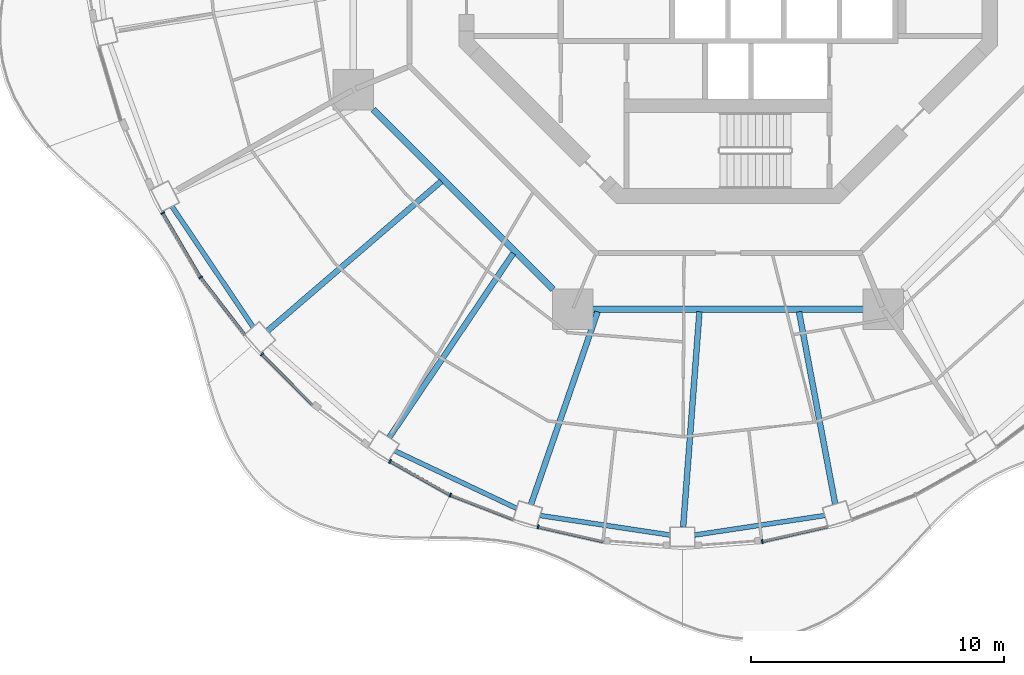
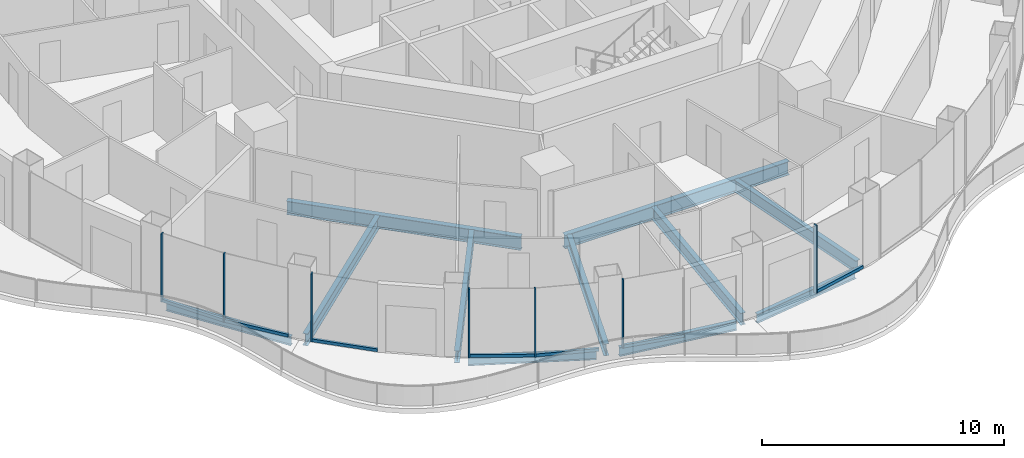
# One storey, part 2 of 18: 14 members, 11 beams, 7 elements without a shape of their own.
"""IFC4 building model written with IfcOpenShell, lengths in metres."""

from ifc_helpers import new_model, si_unit, direction, frame, origin, origin_2d, place, context, subcontext, project, spatial, rectangle, i_section, extrude, material, layer, layer_set, material_profile, profile_set, type_object, element, aggregate, save


model = new_model("IFC4")

# Units and contexts
model_context = context("Model", 3, precision=1e-05, world=origin(), true_north=direction((0.0, 1.0)))
body_context = subcontext(model_context, "Body", "Model", "MODEL_VIEW")
ifc_project = project(units=[si_unit("LENGTHUNIT", "METRE"), si_unit("AREAUNIT", "SQUARE_METRE"), si_unit("VOLUMEUNIT", "CUBIC_METRE"), si_unit("PLANEANGLEUNIT", "RADIAN"), si_unit("MASSUNIT", "GRAM", prefix="KILO")], contexts=[model_context])

# Site, building, storey
site_placement = place(None, origin())
site = spatial("IfcSite", under=ifc_project, at=site_placement, CompositionType="ELEMENT")
building_placement = place(site_placement, origin())
building = spatial("IfcBuilding", under=site, at=building_placement, Name="Nagisa Residences", CompositionType="ELEMENT")
storey_placement = place(building_placement, frame((0.0, 0.0, 219.60009765625)))
storey = spatial("IfcBuildingStorey", under=building, at=storey_placement, Name="L55", CompositionType="ELEMENT", Elevation=219.60009765625)

# Curtain wall, member
ifc_material_1 = material(Name="Concrete-coloured aluminium curtain wall system", Category="concrete")
ifc_layer = layer(ifc_material_1, 0.159912109375)
ifc_layer_set = layer_set([ifc_layer], Name="CW1 CURTAIN WALL")
curtain_wall_type = type_object("IfcCurtainWallType", Name="CW1 CURTAIN WALL", PredefinedType="NOTDEFINED", material=ifc_layer_set)
curtain_wall_1_placement = place(storey_placement, origin())
curtain_wall_1 = element("IfcCurtainWall", 1, at=curtain_wall_1_placement, inside=storey, type_object=curtain_wall_type, Name="cw:CW1:L55:28", PredefinedType="NOTDEFINED")
ifc_material_2 = material(Name="Concrete-coloured aluminium", Category="concrete")
ifc_material_profile_1 = material_profile(ifc_material_2, rectangle(XDim=0.159912109375, YDim=0.06005859375, at=origin_2d()), Name="CW1 MULLION 160x60")
ifc_profile_set_1 = profile_set([ifc_material_profile_1], Name="Concrete-coloured aluminium")
member_type_1 = type_object("IfcMemberType", Name="CW1 MULLION 160x60", PredefinedType="MULLION", material=ifc_profile_set_1)
member_1_placement = place(storey_placement, frame((-22.307861328125, -10.993896484375, 0.0), z_axis=(0.0, 0.0, 1.0), x_axis=(0.862328898214, 0.506348567002, 0.0)))
member_1 = element("IfcMember", 2, at=member_1_placement, type_object=member_type_1, Name="CW1 mullion", PredefinedType="MULLION", context=body_context, shape_type="SweptSolid", body=[
    extrude(rectangle(XDim=0.159912109375, YDim=0.06005859375, at=origin_2d()), origin(), (0.0, 0.0, 1.0), 3.43994140625),
])

curtain_wall_2_placement = place(storey_placement, origin())
curtain_wall_2 = element("IfcCurtainWall", 3, at=curtain_wall_2_placement, inside=storey, type_object=curtain_wall_type, Name="cw:CW1:L55:29", PredefinedType="NOTDEFINED")
member_2_placement = place(storey_placement, frame((-20.814453125, -13.53125, 0.0), z_axis=(0.0, 0.0, 1.0), x_axis=(0.792070340816, 0.610429828235, 0.0)))
member_2 = element("IfcMember", 4, at=member_2_placement, type_object=member_type_1, Name="CW1 mullion", PredefinedType="MULLION", context=body_context, shape_type="SweptSolid", body=[
    extrude(rectangle(XDim=0.159912109375, YDim=0.06005859375, at=origin_2d()), origin(), (0.0, 0.0, 1.0), 3.43994140625),
])

curtain_wall_3_placement = place(storey_placement, origin())
curtain_wall_3 = element("IfcCurtainWall", 5, at=curtain_wall_3_placement, inside=storey, type_object=curtain_wall_type, Name="cw:CW1:L55:30", PredefinedType="NOTDEFINED")
member_3_placement = place(storey_placement, frame((-18.388427734375, -16.567626953125, 0.0), z_axis=(0.0, 0.0, 1.0), x_axis=(0.706376885714, 0.707835924016, 0.0)))
member_3 = element("IfcMember", 6, at=member_3_placement, type_object=member_type_1, Name="CW1 mullion", PredefinedType="MULLION", context=body_context, shape_type="SweptSolid", body=[
    extrude(rectangle(XDim=0.159912109375, YDim=0.06005859375, at=origin_2d()), origin(), (0.0, 0.0, 1.0), 3.43994140625),
])

curtain_wall_4_placement = place(storey_placement, origin())
curtain_wall_4 = element("IfcCurtainWall", 7, at=curtain_wall_4_placement, inside=storey, type_object=curtain_wall_type, Name="cw:CW1:L55:32", PredefinedType="NOTDEFINED")
member_4_placement = place(storey_placement, frame((-13.333740234375, -20.792236328125, 0.0), z_axis=(0.0, 0.0, 1.0), x_axis=(0.489376918501, 0.872072377523, 0.0)))
member_4 = element("IfcMember", 8, at=member_4_placement, type_object=member_type_1, Name="CW1 mullion", PredefinedType="MULLION", context=body_context, shape_type="SweptSolid", body=[
    extrude(rectangle(XDim=0.159912109375, YDim=0.06005859375, at=origin_2d()), origin(), (0.0, 0.0, 1.0), 3.43994140625),
])

curtain_wall_5_placement = place(storey_placement, origin())
curtain_wall_5 = element("IfcCurtainWall", 9, at=curtain_wall_5_placement, inside=storey, type_object=curtain_wall_type, Name="cw:CW1:L55:33", PredefinedType="NOTDEFINED")
member_5_placement = place(storey_placement, frame((-10.954345703125, -22.12353515625, 0.0), z_axis=(0.0, 0.0, 1.0), x_axis=(0.360327770268, 0.932825759707, 0.0)))
member_5 = element("IfcMember", 10, at=member_5_placement, type_object=member_type_1, Name="CW1 mullion", PredefinedType="MULLION", context=body_context, shape_type="SweptSolid", body=[
    extrude(rectangle(XDim=0.159912109375, YDim=0.06005859375, at=origin_2d()), origin(), (0.0, 0.0, 1.0), 3.43994140625),
])

curtain_wall_6_placement = place(storey_placement, origin())
curtain_wall_6 = element("IfcCurtainWall", 11, at=curtain_wall_6_placement, inside=storey, type_object=curtain_wall_type, Name="cw:CW1:L55:34", PredefinedType="NOTDEFINED")
member_6_placement = place(storey_placement, frame((-7.4951171875, -23.3779296875, 0.0), z_axis=(0.0, 0.0, 1.0), x_axis=(0.2207639201, 0.975327274089, 0.0)))
member_6 = element("IfcMember", 12, at=member_6_placement, type_object=member_type_1, Name="CW1 mullion", PredefinedType="MULLION", context=body_context, shape_type="SweptSolid", body=[
    extrude(rectangle(XDim=0.159912109375, YDim=0.06005859375, at=origin_2d()), origin(), (0.0, 0.0, 1.0), 3.43994140625),
])

curtain_wall_7_placement = place(storey_placement, origin())
curtain_wall_7 = element("IfcCurtainWall", 13, at=curtain_wall_7_placement, inside=storey, type_object=curtain_wall_type, Name="cw:CW1:L55:37", PredefinedType="NOTDEFINED")
member_7_placement = place(storey_placement, frame((1.353271484375, -23.953369140625, 0.0), z_axis=(0.0, 0.0, 1.0), x_axis=(-0.2207639201, 0.975327274089, 0.0)))
member_7 = element("IfcMember", 14, at=member_7_placement, type_object=member_type_1, Name="CW1 mullion", PredefinedType="MULLION", context=body_context, shape_type="SweptSolid", body=[
    extrude(rectangle(XDim=0.159912109375, YDim=0.06005859375, at=origin_2d()), origin(), (0.0, 0.0, 1.0), 3.43994140625),
])

# Member
ifc_material_3 = material(Name="Concrete-coloured aluminium", Category="concrete")
ifc_material_profile_2 = material_profile(ifc_material_3, rectangle(XDim=0.1201171875, YDim=0.14990234375, at=origin_2d()), Name="CW1 TRANSOM 120x150")
ifc_profile_set_2 = profile_set([ifc_material_profile_2], Name="Concrete-coloured aluminium")
member_type_2 = type_object("IfcMemberType", Name="CW1 TRANSOM 120x150", PredefinedType="USERDEFINED", material=ifc_profile_set_2)
member_8_placement = place(storey_placement, frame((-22.322998046875, -10.968017578125, 0.074951171875), z_axis=(0.506294090973, -0.862360883532, 0.0), x_axis=(0.862360883532, 0.506294090973, 0.0)))
member_8 = element("IfcMember", 15, at=member_8_placement, type_object=member_type_2, Name="CW1 transom", ObjectType="TRANSOM", PredefinedType="USERDEFINED", context=body_context, shape_type="SweptSolid", body=[
    extrude(rectangle(XDim=0.1201171875, YDim=0.14990234375, at=origin_2d()), origin(), (0.0, 0.0, 1.0), 2.95458984375),
])

aggregate(curtain_wall_1, [member_1, member_8])

member_9_placement = place(storey_placement, frame((-20.832763671875, -13.507568359375, 0.074951171875), z_axis=(0.610438565676, -0.792063607001, 0.0), x_axis=(0.792063607001, 0.610438565676, 0.0)))
member_9 = element("IfcMember", 16, at=member_9_placement, type_object=member_type_2, Name="CW1 transom", ObjectType="TRANSOM", PredefinedType="USERDEFINED", context=body_context, shape_type="SweptSolid", body=[
    extrude(rectangle(XDim=0.1201171875, YDim=0.14990234375, at=origin_2d()), origin(), (0.0, 0.0, 1.0), 2.90087890625),
])

aggregate(curtain_wall_2, [member_2, member_9])

member_10_placement = place(storey_placement, frame((-18.40966796875, -16.546630859375, 0.074951171875), z_axis=(0.707836044127, -0.706376765356, 0.0), x_axis=(0.706376765356, 0.707836044127, 0.0)))
member_10 = element("IfcMember", 17, at=member_10_placement, type_object=member_type_2, Name="CW1 transom", ObjectType="TRANSOM", PredefinedType="USERDEFINED", context=body_context, shape_type="SweptSolid", body=[
    extrude(rectangle(XDim=0.1201171875, YDim=0.14990234375, at=origin_2d()), origin(), (0.0, 0.0, 1.0), 2.84423828125),
])

aggregate(curtain_wall_3, [member_3, member_10])

member_11_placement = place(storey_placement, frame((-13.35986328125, -20.777587890625, 0.074951171875), z_axis=(0.872063230277, -0.489393218586, 0.0), x_axis=(0.489393218586, 0.872063230277, 0.0)))
member_11 = element("IfcMember", 18, at=member_11_placement, type_object=member_type_2, Name="CW1 transom", ObjectType="TRANSOM", PredefinedType="USERDEFINED", context=body_context, shape_type="SweptSolid", body=[
    extrude(rectangle(XDim=0.1201171875, YDim=0.14990234375, at=origin_2d()), origin(), (0.0, 0.0, 1.0), 2.73828125),
])

aggregate(curtain_wall_4, [member_4, member_11])

member_12_placement = place(storey_placement, frame((-10.982421875, -22.11279296875, 0.074951171875), z_axis=(0.932838255163, -0.360295420044, 0.0), x_axis=(0.360295420044, 0.932838255163, 0.0)))
member_12 = element("IfcMember", 19, at=member_12_placement, type_object=member_type_2, Name="CW1 transom", ObjectType="TRANSOM", PredefinedType="USERDEFINED", context=body_context, shape_type="SweptSolid", body=[
    extrude(rectangle(XDim=0.1201171875, YDim=0.14990234375, at=origin_2d()), origin(), (0.0, 0.0, 1.0), 2.6962890625),
])

aggregate(curtain_wall_5, [member_5, member_12])

member_13_placement = place(storey_placement, frame((-7.5244140625, -23.371337890625, 0.074951171875), z_axis=(0.975324089124, -0.220777990694, 0.0), x_axis=(0.220777990694, 0.975324089124, 0.0)))
member_13 = element("IfcMember", 20, at=member_13_placement, type_object=member_type_2, Name="CW1 transom", ObjectType="TRANSOM", PredefinedType="USERDEFINED", context=body_context, shape_type="SweptSolid", body=[
    extrude(rectangle(XDim=0.1201171875, YDim=0.14990234375, at=origin_2d()), origin(), (0.0, 0.0, 1.0), 2.666015625),
])

aggregate(curtain_wall_6, [member_6, member_13])

member_14_placement = place(storey_placement, frame((1.32421875, -23.9599609375, 0.074951171875), z_axis=(0.975324089124, 0.220777990694, 0.0), x_axis=(-0.220777990694, 0.975324089124, 0.0)))
member_14 = element("IfcMember", 21, at=member_14_placement, type_object=member_type_2, Name="CW1 transom", ObjectType="TRANSOM", PredefinedType="USERDEFINED", context=body_context, shape_type="SweptSolid", body=[
    extrude(rectangle(XDim=0.1201171875, YDim=0.14990234375, at=origin_2d()), origin(), (0.0, 0.0, 1.0), 2.666015625),
])

aggregate(curtain_wall_7, [member_7, member_14])

# Beams
ifc_material_4 = material(Name="Steel ASTM A572 Gr 50", Category="steel")
ifc_material_profile_3 = material_profile(ifc_material_4, i_section(OverallWidth=0.2529296875, OverallDepth=0.677978515625, WebThickness=0.01171875, FlangeThickness=0.016357421875, at=origin_2d()), Name="W690x125")
ifc_profile_set_3 = profile_set([ifc_material_profile_3], Name="Steel ASTM A572 Gr 50")
beam_type_1 = type_object("IfcBeamType", Name="Inner ring beam W690x125", PredefinedType="BEAM", material=ifc_profile_set_3)
beam_1_placement = place(storey_placement, frame((-13.99609375, -6.90869140625, -0.59912109375), z_axis=(0.707106781187, -0.707106781187, 0.0), x_axis=(0.707106781187, 0.707106781187, 0.0)))
element("IfcBeam", 22, at=beam_1_placement, inside=storey, type_object=beam_type_1, Name="beam:L55:ib5", PredefinedType="BEAM", context=body_context, shape_type="SweptSolid", body=[
    extrude(i_section(OverallWidth=0.2529296875, OverallDepth=0.677978515625, WebThickness=0.01171875, FlangeThickness=0.016357421875, at=origin_2d()), origin(), (0.0, 0.0, 1.0), 10.023193359375),
])
beam_2_placement = place(storey_placement, frame((-5.343017578125, -14.781982421875, -0.59912109375), z_axis=(1.0, 0.0, 0.0), x_axis=(0.0, 1.0, 0.0)))
element("IfcBeam", 23, at=beam_2_placement, inside=storey, type_object=beam_type_1, Name="beam:L55:ib6", PredefinedType="BEAM", context=body_context, shape_type="SweptSolid", body=[
    extrude(i_section(OverallWidth=0.2529296875, OverallDepth=0.677978515625, WebThickness=0.01171875, FlangeThickness=0.016357421875, at=origin_2d()), origin(), (0.0, 0.0, 1.0), 10.68603515625),
])
ifc_material_5 = material(Name="Steel ASTM A572 Gr 50", Category="steel")
ifc_material_profile_4 = material_profile(ifc_material_5, i_section(OverallWidth=0.18994140625, OverallDepth=0.45703125, WebThickness=0.009033203125, FlangeThickness=0.014404296875, at=origin_2d()), Name="W460x74")
ifc_profile_set_4 = profile_set([ifc_material_profile_4], Name="Steel ASTM A572 Gr 50")
beam_type_2 = type_object("IfcBeamType", Name="Perimeter ring beam W460x74", PredefinedType="BEAM", material=ifc_profile_set_4)
beam_3_placement = place(storey_placement, frame((-21.942138671875, -10.728759765625, -0.488525390625), z_axis=(0.558079852096, -0.829787249049, 0.0), x_axis=(0.829787249049, 0.558079852096, 0.0)))
element("IfcBeam", 24, at=beam_3_placement, inside=storey, type_object=beam_type_2, Name="beam:L55:pb15", PredefinedType="BEAM", context=body_context, shape_type="SweptSolid", body=[
    extrude(i_section(OverallWidth=0.18994140625, OverallDepth=0.45703125, WebThickness=0.009033203125, FlangeThickness=0.014404296875, at=origin_2d()), origin(), (0.0, 0.0, 1.0), 5.743408203125),
])
beam_4_placement = place(storey_placement, frame((-13.146484375, -20.376953125, -0.488525390625), z_axis=(0.904133867308, -0.42724928319, 0.0), x_axis=(0.42724928319, 0.904133867308, 0.0)))
element("IfcBeam", 25, at=beam_4_placement, inside=storey, type_object=beam_type_2, Name="beam:L55:pb17", PredefinedType="BEAM", context=body_context, shape_type="SweptSolid", body=[
    extrude(i_section(OverallWidth=0.18994140625, OverallDepth=0.45703125, WebThickness=0.009033203125, FlangeThickness=0.014404296875, at=origin_2d()), origin(), (0.0, 0.0, 1.0), 5.317138671875),
])
for number, where, z_axis, x_axis, name in (
    (26, (-7.42041015625, -22.92822265625, -0.488525390625), (0.988909463745, -0.148519603133, 0.0), (0.148519603133, 0.988909463745, 0.0), "beam:L55:pb18"),
    (27, (-1.31982421875, -23.7001953125, -0.488525390625), (0.988909463745, 0.148519603133, 0.0), (-0.148519603133, 0.988909463745, 0.0), "beam:L55:pb19"),
):
    element("IfcBeam", number, at=place(storey_placement, frame(where, z_axis=z_axis, x_axis=x_axis)), inside=storey, type_object=beam_type_2, Name=name, PredefinedType="BEAM", context=body_context, shape_type="SweptSolid", body=[
        extrude(i_section(OverallWidth=0.18994140625, OverallDepth=0.45703125, WebThickness=0.009033203125, FlangeThickness=0.014404296875, at=origin_2d()), origin(), (0.0, 0.0, 1.0), 5.19775390625),
    ])
ifc_material_6 = material(Name="Steel ASTM A572 Gr 50", Category="steel")
ifc_material_profile_5 = material_profile(ifc_material_6, i_section(OverallWidth=0.22802734375, OverallDepth=0.60302734375, WebThickness=0.010498046875, FlangeThickness=0.014892578125, at=origin_2d()), Name="W610x101")
ifc_profile_set_5 = profile_set([ifc_material_profile_5], Name="Steel ASTM A572 Gr 50")
beam_type_3 = type_object("IfcBeamType", Name="Radial beam W610x101", PredefinedType="BEAM", material=ifc_profile_set_5)
beam_5_placement = place(storey_placement, frame((-18.178466796875, -15.6484375, -0.5615234375), z_axis=(0.7578828397, 0.652390681485, 0.0), x_axis=(-0.652390681485, 0.7578828397, 0.0)))
element("IfcBeam", 28, at=beam_5_placement, inside=storey, type_object=beam_type_3, Name="beam:L55:rb16", PredefinedType="BEAM", context=body_context, shape_type="SweptSolid", body=[
    extrude(i_section(OverallWidth=0.22802734375, OverallDepth=0.60302734375, WebThickness=0.010498046875, FlangeThickness=0.014892578125, at=origin_2d()), origin(), (0.0, 0.0, 1.0), 9.055908203125),
])
beam_6_placement = place(storey_placement, frame((-13.372802734375, -19.8544921875, -0.5615234375), z_axis=(0.558639079644, 0.829410862416, 0.0), x_axis=(-0.829410862416, 0.558639079644, 0.0)))
element("IfcBeam", 29, at=beam_6_placement, inside=storey, type_object=beam_type_3, Name="beam:L55:rb17", PredefinedType="BEAM", context=body_context, shape_type="SweptSolid", body=[
    extrude(i_section(OverallWidth=0.22802734375, OverallDepth=0.60302734375, WebThickness=0.010498046875, FlangeThickness=0.014892578125, at=origin_2d()), origin(), (0.0, 0.0, 1.0), 8.7685546875),
])
beam_7_placement = place(storey_placement, frame((-7.776123046875, -22.49658203125, -0.5615234375), z_axis=(0.32669171318, 0.945130956291, 0.0), x_axis=(-0.945130956291, 0.32669171318, 0.0)))
element("IfcBeam", 30, at=beam_7_placement, inside=storey, type_object=beam_type_3, Name="beam:L55:rb18", PredefinedType="BEAM", context=body_context, shape_type="SweptSolid", body=[
    extrude(i_section(OverallWidth=0.22802734375, OverallDepth=0.60302734375, WebThickness=0.010498046875, FlangeThickness=0.014892578125, at=origin_2d()), origin(), (0.0, 0.0, 1.0), 8.048583984375),
])
beam_8_placement = place(storey_placement, frame((-1.771240234375, -23.392333984375, -0.5615234375), z_axis=(0.075492377513, 0.997146378892, 0.0), x_axis=(-0.997146378892, 0.075492377513, 0.0)))
element("IfcBeam", 31, at=beam_8_placement, inside=storey, type_object=beam_type_3, Name="beam:L55:rb19", PredefinedType="BEAM", context=body_context, shape_type="SweptSolid", body=[
    extrude(i_section(OverallWidth=0.22802734375, OverallDepth=0.60302734375, WebThickness=0.010498046875, FlangeThickness=0.014892578125, at=origin_2d()), origin(), (0.0, 0.0, 1.0), 8.528076171875),
])
beam_9_placement = place(storey_placement, frame((4.229736328125, -22.480224609375, -0.5615234375), z_axis=(-0.184925861179, 0.982752474363, 0.0), x_axis=(-0.982752474363, -0.184925861179, 0.0)))
element("IfcBeam", 32, at=beam_9_placement, inside=storey, type_object=beam_type_3, Name="beam:L55:rb20", PredefinedType="BEAM", context=body_context, shape_type="SweptSolid", body=[
    extrude(i_section(OverallWidth=0.22802734375, OverallDepth=0.60302734375, WebThickness=0.010498046875, FlangeThickness=0.014892578125, at=origin_2d()), origin(), (0.0, 0.0, 1.0), 7.724609375),
])

save(model, "model.ifc")
